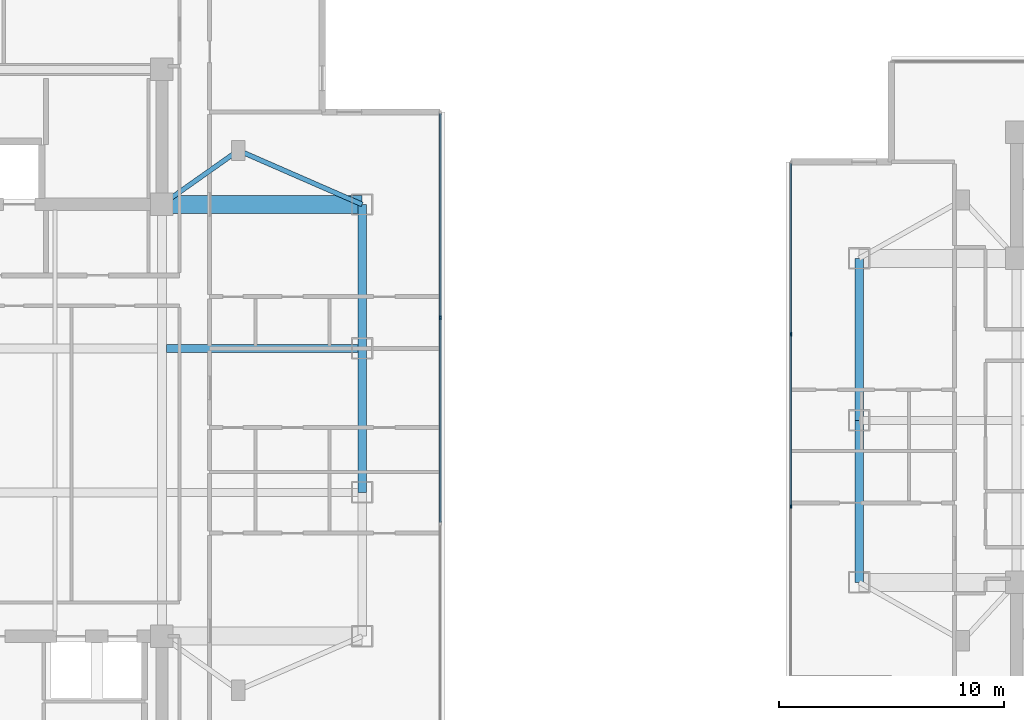
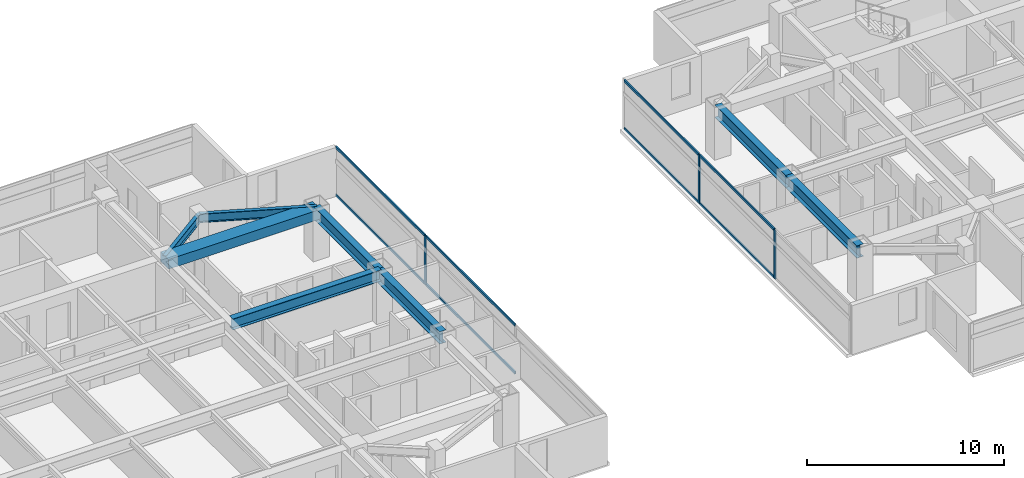
# One storey, part 5 of 25: 11 members, 8 beams, 2 elements without a shape of their own.
"""IFC4 building model written with IfcOpenShell, lengths in metres."""

from ifc_helpers import new_model, si_unit, direction, frame, origin, origin_2d, place, context, subcontext, project, spatial, rectangle, i_section, extrude, material, material_profile, profile_set, type_object, element, aggregate, save


model = new_model("IFC4")

# Units and contexts
model_context = context("Model", 3, precision=1e-05, world=origin(), true_north=direction((0.0, 1.0)))
body_context = subcontext(model_context, "Body", "Model", "MODEL_VIEW")
ifc_project = project(units=[si_unit("LENGTHUNIT", "METRE"), si_unit("AREAUNIT", "SQUARE_METRE"), si_unit("VOLUMEUNIT", "CUBIC_METRE"), si_unit("PLANEANGLEUNIT", "RADIAN"), si_unit("MASSUNIT", "GRAM", prefix="KILO")], contexts=[model_context])

# Site, building, storey
site_placement = place(None, origin())
site = spatial("IfcSite", under=ifc_project, at=site_placement, CompositionType="ELEMENT")
building_placement = place(site_placement, origin())
building = spatial("IfcBuilding", under=site, at=building_placement, Name="Mirazonda Arch Towers", CompositionType="ELEMENT")
storey_placement = place(building_placement, frame((0.0, 0.0, 180.39990234375)))
storey = spatial("IfcBuildingStorey", under=building, at=storey_placement, Name="L51", CompositionType="ELEMENT", Elevation=180.39990234375)

# Beams
ifc_material_1 = material(Name="Steel ASTM A992 Grade 50", Category="steel")
ifc_material_profile_1 = material_profile(ifc_material_1, i_section(OverallWidth=0.381103515625, OverallDepth=0.77294921875, WebThickness=0.0166015625, FlangeThickness=0.027099609375, at=origin_2d()), Name="W30X173")
ifc_profile_set_1 = profile_set([ifc_material_profile_1], Name="Steel ASTM A992 Grade 50")
beam_type_1 = type_object("IfcBeamType", Name="BM-EXT-W30X173", PredefinedType="USERDEFINED", material=ifc_profile_set_1)
beam_1_placement = place(storey_placement, frame((38.89990234375, 24.800048828125, 2.66357421875), z_axis=(0.0, 1.0, 0.0), x_axis=(-1.0, 0.0, 0.0)))
element("IfcBeam", 1, at=beam_1_placement, inside=storey, type_object=beam_type_1, Name="L51 Floor Beam BM-T1-L51-NS-E-24", ObjectType="GIRDER", PredefinedType="USERDEFINED", context=body_context, shape_type="SweptSolid", body=[
    extrude(i_section(OverallWidth=0.381103515625, OverallDepth=0.77294921875, WebThickness=0.0166015625, FlangeThickness=0.027099609375, at=origin_2d()), origin(), (0.0, 0.0, 1.0), 6.39990234375),
])
beam_2_placement = place(storey_placement, frame((38.89990234375, 31.199951171875, 2.66357421875), z_axis=(0.0, 1.0, 0.0), x_axis=(-1.0, 0.0, 0.0)))
element("IfcBeam", 2, at=beam_2_placement, inside=storey, type_object=beam_type_1, Name="L51 Floor Beam BM-T1-L51-NS-E-31", ObjectType="GIRDER", PredefinedType="USERDEFINED", context=body_context, shape_type="SweptSolid", body=[
    extrude(i_section(OverallWidth=0.381103515625, OverallDepth=0.77294921875, WebThickness=0.0166015625, FlangeThickness=0.027099609375, at=origin_2d()), origin(), (0.0, 0.0, 1.0), 6.400146484375),
])
for number, where, z_axis, x_axis, name in (
    (3, (61.0, 20.800048828125, 2.66357421875), (0.0, 1.0, 0.0), (-1.0, 0.0, 0.0), "L51 Floor Beam BM-T2-L51-NS-W-20"),
    (4, (61.0, 28.0, 2.66357421875), (0.0, 1.0, 0.0), (-1.0, 0.0, 0.0), "L51 Floor Beam BM-T2-L51-NS-W-28"),
):
    element("IfcBeam", number, at=place(storey_placement, frame(where, z_axis=z_axis, x_axis=x_axis)), inside=storey, type_object=beam_type_1, Name=name, ObjectType="GIRDER", PredefinedType="USERDEFINED", context=body_context, shape_type="SweptSolid", body=[
        extrude(i_section(OverallWidth=0.381103515625, OverallDepth=0.77294921875, WebThickness=0.0166015625, FlangeThickness=0.027099609375, at=origin_2d()), origin(), (0.0, 0.0, 1.0), 7.199951171875),
    ])
ifc_material_profile_2 = material_profile(ifc_material_1, i_section(OverallWidth=0.214111328125, OverallDepth=0.549072265625, WebThickness=0.0146484375, FlangeThickness=0.023681640625, at=origin_2d()), Name="W21X93")
ifc_profile_set_2 = profile_set([ifc_material_profile_2], Name="Steel ASTM A992 Grade 50")
beam_type_2 = type_object("IfcBeamType", Name="BM-INT-W21X93", PredefinedType="BEAM", material=ifc_profile_set_2)
beam_3_placement = place(storey_placement, frame((33.39990234375, 40.0, 2.775634765625), z_axis=(-0.816971114901, -0.576678591087, 0.0), x_axis=(0.576678591087, -0.816971114901, 0.0)))
element("IfcBeam", 5, at=beam_3_placement, inside=storey, type_object=beam_type_2, Name="L51 Floor Beam BM-T1-L51-PL-NE1", PredefinedType="BEAM", context=body_context, shape_type="SweptSolid", body=[
    extrude(i_section(OverallWidth=0.214111328125, OverallDepth=0.549072265625, WebThickness=0.0146484375, FlangeThickness=0.023681640625, at=origin_2d()), origin(), (0.0, 0.0, 1.0), 4.16162109375),
])
beam_4_placement = place(storey_placement, frame((33.39990234375, 40.0, 2.775634765625), z_axis=(0.916545343703, -0.399930785183, 0.0), x_axis=(0.399930785183, 0.916545343703, 0.0)))
element("IfcBeam", 6, at=beam_4_placement, inside=storey, type_object=beam_type_2, Name="L51 Floor Beam BM-T1-L51-PL-NE2", PredefinedType="BEAM", context=body_context, shape_type="SweptSolid", body=[
    extrude(i_section(OverallWidth=0.214111328125, OverallDepth=0.549072265625, WebThickness=0.0146484375, FlangeThickness=0.023681640625, at=origin_2d()), origin(), (0.0, 0.0, 1.0), 6.000732421875),
])
ifc_material_profile_3 = material_profile(ifc_material_1, i_section(OverallWidth=0.35498046875, OverallDepth=0.696044921875, WebThickness=0.015380859375, FlangeThickness=0.02490234375, at=origin_2d()), Name="W27X146")
ifc_profile_set_3 = profile_set([ifc_material_profile_3], Name="Steel ASTM A992 Grade 50")
beam_type_3 = type_object("IfcBeamType", Name="BM-INT-W27X146", PredefinedType="BEAM", material=ifc_profile_set_3)
beam_5_placement = place(storey_placement, frame((30.199951171875, 31.199951171875, 2.7021484375), z_axis=(1.0, 0.0, 0.0), x_axis=(0.0, 1.0, 0.0)))
element("IfcBeam", 7, at=beam_5_placement, inside=storey, type_object=beam_type_3, Name="L51 Floor Beam BM-T1-L51-GE3", PredefinedType="BEAM", context=body_context, shape_type="SweptSolid", body=[
    extrude(i_section(OverallWidth=0.35498046875, OverallDepth=0.696044921875, WebThickness=0.015380859375, FlangeThickness=0.02490234375, at=origin_2d()), origin(), (0.0, 0.0, 1.0), 8.699951171875),
])
ifc_material_2 = material(Name="Concrete C60/75", Category="concrete")
ifc_material_profile_4 = material_profile(ifc_material_2, rectangle(XDim=0.800048828125, YDim=0.60009765625, at=origin_2d()), Name="RCCB800x600")
ifc_profile_set_4 = profile_set([ifc_material_profile_4], Name="Concrete C60/75")
beam_type_4 = type_object("IfcBeamType", Name="CB-INT-RCCB800x600", PredefinedType="SPANDREL", material=ifc_profile_set_4)
beam_6_placement = place(storey_placement, frame((30.0, 37.60009765625, 2.75), z_axis=(1.0, 0.0, 0.0), x_axis=(0.0, 1.0, 0.0)))
element("IfcBeam", 8, at=beam_6_placement, inside=storey, type_object=beam_type_4, Name="L51 Floor Beam CBC-T1-L51-NE", PredefinedType="SPANDREL", context=body_context, shape_type="SweptSolid", body=[
    extrude(rectangle(XDim=0.800048828125, YDim=0.60009765625, at=origin_2d()), origin(), (0.0, 0.0, 1.0), 8.89990234375),
])

# Curtain wall, member
ifc_material_3 = material(Name="Anodised Aluminium and Low-E Glass", Category="aluminium")
curtain_wall_type = type_object("IfcCurtainWallType", Name="CW-RES-UNIT", PredefinedType="NOTDEFINED", material=ifc_material_3)
curtain_wall_1_placement = place(storey_placement, origin())
curtain_wall_1 = element("IfcCurtainWall", 9, at=curtain_wall_1_placement, inside=storey, type_object=curtain_wall_type, Name="L51 T1 E Facade CW-L51-T1-E", PredefinedType="NOTDEFINED")
ifc_material_4 = material(Name="Anodised Aluminium Alloy", Category="aluminium")
ifc_material_profile_5 = material_profile(ifc_material_4, rectangle(XDim=0.074951171875, YDim=0.175048828125, at=origin_2d()), Name="ALU-MULL-75x175")
ifc_profile_set_5 = profile_set([ifc_material_profile_5], Name="Anodised Aluminium Alloy")
member_type_1 = type_object("IfcMemberType", Name="MULL-CW-RES-UNIT", PredefinedType="MULLION", material=ifc_profile_set_5)
member_1_placement = place(storey_placement, frame((42.3701171875, 32.569580078125, 0.0), z_axis=(0.0, 0.0, 1.0), x_axis=(-1.0, 0.0, 0.0)))
member_1 = element("IfcMember", 10, at=member_1_placement, type_object=member_type_1, Name="CW-104 mullion 3", PredefinedType="MULLION", context=body_context, shape_type="SweptSolid", body=[
    extrude(rectangle(XDim=0.074951171875, YDim=0.175048828125, at=origin_2d()), origin(), (0.0, 0.0, 1.0), 3.030029296875),
])

# Curtain wall, members
curtain_wall_2_placement = place(storey_placement, origin())
curtain_wall_2 = element("IfcCurtainWall", 11, at=curtain_wall_2_placement, inside=storey, type_object=curtain_wall_type, Name="L51 T2 W Facade CW-L51-T2-W", PredefinedType="NOTDEFINED")
member_2_placement = place(storey_placement, frame((57.96337890625, 31.830810546875, 0.0), z_axis=(0.0, 0.0, 1.0), x_axis=(1.0, 0.0, 0.0)))
member_2 = element("IfcMember", 12, at=member_2_placement, type_object=member_type_1, Name="CW-104 mullion 2", PredefinedType="MULLION", context=body_context, shape_type="SweptSolid", body=[
    extrude(rectangle(XDim=0.074951171875, YDim=0.175048828125, at=origin_2d()), origin(), (0.0, 0.0, 1.0), 3.030029296875),
])
member_3_placement = place(storey_placement, frame((57.96337890625, 24.169189453125, 0.0), z_axis=(0.0, 0.0, 1.0), x_axis=(1.0, 0.0, 0.0)))
member_3 = element("IfcMember", 13, at=member_3_placement, type_object=member_type_1, Name="CW-104 mullion 3", PredefinedType="MULLION", context=body_context, shape_type="SweptSolid", body=[
    extrude(rectangle(XDim=0.074951171875, YDim=0.175048828125, at=origin_2d()), origin(), (0.0, 0.0, 1.0), 3.030029296875),
])

# Member
ifc_material_profile_6 = material_profile(ifc_material_4, rectangle(XDim=0.074951171875, YDim=0.155029296875, at=origin_2d()), Name="ALU-TRAN-75x155")
ifc_profile_set_6 = profile_set([ifc_material_profile_6], Name="Anodised Aluminium Alloy")
member_type_2 = type_object("IfcMemberType", Name="TRAN-CW-RES-UNIT", PredefinedType="USERDEFINED", material=ifc_profile_set_6)
member_4_placement = place(storey_placement, frame((42.3701171875, 23.4677734375, 0.03759765625), z_axis=(0.0, 1.0, 0.0), x_axis=(-1.0, 0.0, 0.0)))
member_4 = element("IfcMember", 14, at=member_4_placement, type_object=member_type_2, Name="CW-104 transom 2.1", ObjectType="TRANSOM", PredefinedType="USERDEFINED", context=body_context, shape_type="SweptSolid", body=[
    extrude(rectangle(XDim=0.074951171875, YDim=0.155029296875, at=origin_2d()), origin(), (0.0, 0.0, 1.0), 9.064453125),
])

member_5_placement = place(storey_placement, frame((42.3701171875, 23.4677734375, 2.99267578125), z_axis=(0.0, 1.0, 0.0), x_axis=(-1.0, 0.0, 0.0)))
member_5 = element("IfcMember", 15, at=member_5_placement, type_object=member_type_2, Name="CW-104 transom 2.2", ObjectType="TRANSOM", PredefinedType="USERDEFINED", context=body_context, shape_type="SweptSolid", body=[
    extrude(rectangle(XDim=0.074951171875, YDim=0.155029296875, at=origin_2d()), origin(), (0.0, 0.0, 1.0), 9.064453125),
])

member_6_placement = place(storey_placement, frame((42.3701171875, 32.607177734375, 0.03759765625), z_axis=(0.0, 1.0, 0.0), x_axis=(-1.0, 0.0, 0.0)))
member_6 = element("IfcMember", 16, at=member_6_placement, type_object=member_type_2, Name="CW-104 transom 3.1", ObjectType="TRANSOM", PredefinedType="USERDEFINED", context=body_context, shape_type="SweptSolid", body=[
    extrude(rectangle(XDim=0.074951171875, YDim=0.155029296875, at=origin_2d()), origin(), (0.0, 0.0, 1.0), 9.02685546875),
])

member_7_placement = place(storey_placement, frame((42.3701171875, 32.607177734375, 2.99267578125), z_axis=(0.0, 1.0, 0.0), x_axis=(-1.0, 0.0, 0.0)))
member_7 = element("IfcMember", 17, at=member_7_placement, type_object=member_type_2, Name="CW-104 transom 3.2", ObjectType="TRANSOM", PredefinedType="USERDEFINED", context=body_context, shape_type="SweptSolid", body=[
    extrude(rectangle(XDim=0.074951171875, YDim=0.155029296875, at=origin_2d()), origin(), (0.0, 0.0, 1.0), 9.02685546875),
])

aggregate(curtain_wall_1, [member_1, member_4, member_5, member_6, member_7])

member_8_placement = place(storey_placement, frame((57.96337890625, 39.417724609375, 0.03759765625), z_axis=(0.0, -1.0, 0.0), x_axis=(1.0, 0.0, 0.0)))
member_8 = element("IfcMember", 18, at=member_8_placement, type_object=member_type_2, Name="CW-104 transom 1.1", ObjectType="TRANSOM", PredefinedType="USERDEFINED", context=body_context, shape_type="SweptSolid", body=[
    extrude(rectangle(XDim=0.074951171875, YDim=0.155029296875, at=origin_2d()), origin(), (0.0, 0.0, 1.0), 7.54931640625),
])

member_9_placement = place(storey_placement, frame((57.96337890625, 39.417724609375, 2.99267578125), z_axis=(0.0, -1.0, 0.0), x_axis=(1.0, 0.0, 0.0)))
member_9 = element("IfcMember", 19, at=member_9_placement, type_object=member_type_2, Name="CW-104 transom 1.2", ObjectType="TRANSOM", PredefinedType="USERDEFINED", context=body_context, shape_type="SweptSolid", body=[
    extrude(rectangle(XDim=0.074951171875, YDim=0.155029296875, at=origin_2d()), origin(), (0.0, 0.0, 1.0), 7.54931640625),
])

member_10_placement = place(storey_placement, frame((57.96337890625, 31.79345703125, 0.03759765625), z_axis=(0.0, -1.0, 0.0), x_axis=(1.0, 0.0, 0.0)))
member_10 = element("IfcMember", 20, at=member_10_placement, type_object=member_type_2, Name="CW-104 transom 2.1", ObjectType="TRANSOM", PredefinedType="USERDEFINED", context=body_context, shape_type="SweptSolid", body=[
    extrude(rectangle(XDim=0.074951171875, YDim=0.155029296875, at=origin_2d()), origin(), (0.0, 0.0, 1.0), 7.5869140625),
])

member_11_placement = place(storey_placement, frame((57.96337890625, 31.79345703125, 2.99267578125), z_axis=(0.0, -1.0, 0.0), x_axis=(1.0, 0.0, 0.0)))
member_11 = element("IfcMember", 21, at=member_11_placement, type_object=member_type_2, Name="CW-104 transom 2.2", ObjectType="TRANSOM", PredefinedType="USERDEFINED", context=body_context, shape_type="SweptSolid", body=[
    extrude(rectangle(XDim=0.074951171875, YDim=0.155029296875, at=origin_2d()), origin(), (0.0, 0.0, 1.0), 7.5869140625),
])

aggregate(curtain_wall_2, [member_2, member_3, member_8, member_9, member_10, member_11])

save(model, "model.ifc")
